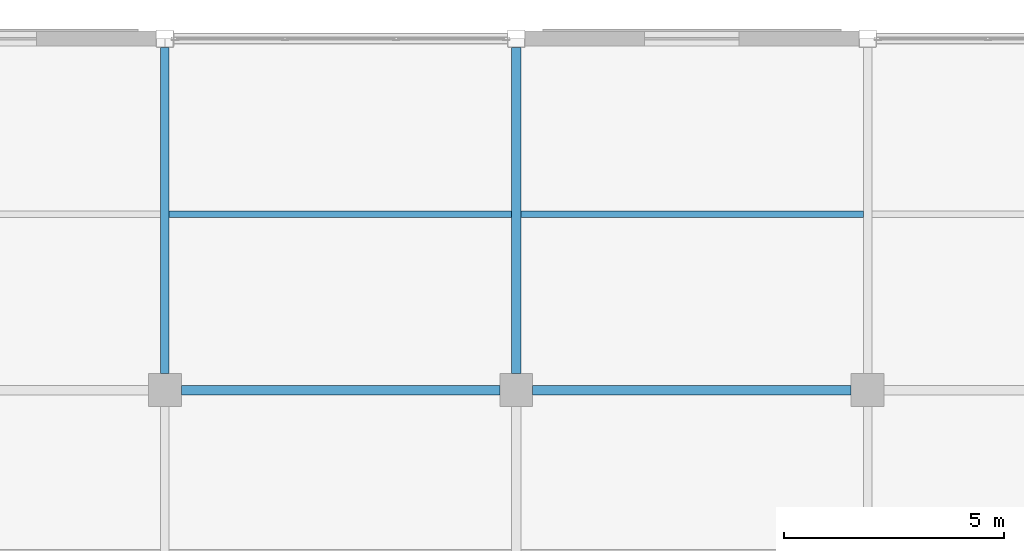
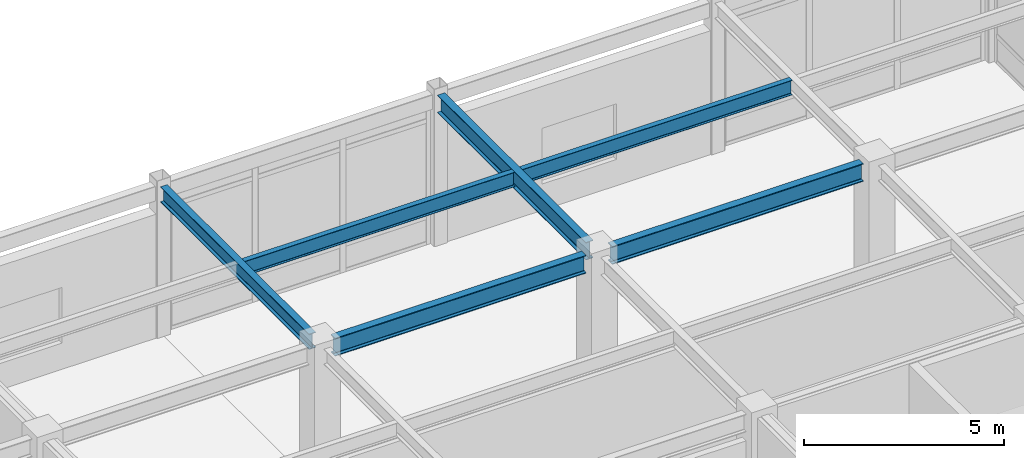
# One storey, part 78 of 117: 6 beams.
"""IFC4 building model written with IfcOpenShell, lengths in metres."""

from ifc_helpers import new_model, si_unit, direction, frame, origin, origin_2d, place, context, subcontext, project, spatial, i_section, extrude, material, material_profile, profile_set, type_object, element, save


model = new_model("IFC4")

# Units and contexts
model_context = context("Model", 3, precision=1e-05, world=origin(), true_north=direction((0.0, 1.0)))
body_context = subcontext(model_context, "Body", "Model", "MODEL_VIEW")
ifc_project = project(units=[si_unit("LENGTHUNIT", "METRE"), si_unit("AREAUNIT", "SQUARE_METRE"), si_unit("VOLUMEUNIT", "CUBIC_METRE"), si_unit("PLANEANGLEUNIT", "RADIAN"), si_unit("MASSUNIT", "GRAM", prefix="KILO")], contexts=[model_context])

# Site, building, storey
site_placement = place(None, origin())
site = spatial("IfcSite", under=ifc_project, at=site_placement, CompositionType="ELEMENT")
building_placement = place(site_placement, origin())
building = spatial("IfcBuilding", under=site, at=building_placement, Name="Solmirada Galleria", CompositionType="ELEMENT")
storey_placement = place(building_placement, frame((0.0, 0.0, 5.60009765625)))
storey = spatial("IfcBuildingStorey", under=building, at=storey_placement, Name="L01", CompositionType="ELEMENT", Elevation=5.60009765625)

# Beams
ifc_material = material(Name="Steel S355 / ASTM A992 Grade 50", Category="steel")
ifc_material_profile_1 = material_profile(ifc_material, i_section(OverallWidth=0.194091796875, OverallDepth=0.468994140625, WebThickness=0.0126953125, FlangeThickness=0.0205078125, FilletRadius=0.013916015625, at=origin_2d()), Name="W18X71")
ifc_profile_set_1 = profile_set([ifc_material_profile_1], Name="Steel S355 / ASTM A992 Grade 50")
beam_type_1 = type_object("IfcBeamType", Name="BM-GIRD-W18B", PredefinedType="BEAM", material=ifc_profile_set_1)
beam_1_placement = place(storey_placement, frame((152.0, 112.375, 4.365478515625), z_axis=(0.0, 1.0, 0.0), x_axis=(-1.0, 0.0, 0.0)))
element("IfcBeam", 1, at=beam_1_placement, inside=storey, type_object=beam_type_1, Name="Primary girder L02 Y(152, 112..120)", PredefinedType="BEAM", context=body_context, shape_type="SweptSolid", body=[
    extrude(i_section(OverallWidth=0.194091796875, OverallDepth=0.468994140625, WebThickness=0.0126953125, FlangeThickness=0.0205078125, FilletRadius=0.013916015625, at=origin_2d()), origin(), (0.0, 0.0, 1.0), 7.422119140625),
])
ifc_material_profile_2 = material_profile(ifc_material, i_section(OverallWidth=0.214111328125, OverallDepth=0.549072265625, WebThickness=0.0146484375, FlangeThickness=0.023681640625, FilletRadius=0.014892578125, at=origin_2d()), Name="W21X93")
ifc_profile_set_2 = profile_set([ifc_material_profile_2], Name="Steel S355 / ASTM A992 Grade 50")
beam_type_2 = type_object("IfcBeamType", Name="BM-GIRD-W21A", PredefinedType="BEAM", material=ifc_profile_set_2)
for number, where, z_axis, x_axis, name in (
    (2, (152.375, 112.0, 4.325439453125), (1.0, 0.0, 0.0), (0.0, 1.0, 0.0), "Primary beam L02 X(152..160, 112)"),
    (3, (160.375, 112.0, 4.325439453125), (1.0, 0.0, 0.0), (0.0, 1.0, 0.0), "Primary beam L02 X(160..168, 112)"),
):
    element("IfcBeam", number, at=place(storey_placement, frame(where, z_axis=z_axis, x_axis=x_axis)), inside=storey, type_object=beam_type_2, Name=name, PredefinedType="BEAM", context=body_context, shape_type="SweptSolid", body=[
        extrude(i_section(OverallWidth=0.214111328125, OverallDepth=0.549072265625, WebThickness=0.0146484375, FlangeThickness=0.023681640625, FilletRadius=0.014892578125, at=origin_2d()), origin(), (0.0, 0.0, 1.0), 7.25),
    ])
ifc_material_profile_3 = material_profile(ifc_material, i_section(OverallWidth=0.2099609375, OverallDepth=0.537109375, WebThickness=0.010986328125, FlangeThickness=0.017333984375, FilletRadius=0.014892578125, at=origin_2d()), Name="W21X68")
ifc_profile_set_3 = profile_set([ifc_material_profile_3], Name="Steel S355 / ASTM A992 Grade 50")
beam_type_3 = type_object("IfcBeamType", Name="BM-GIRD-W21B", PredefinedType="BEAM", material=ifc_profile_set_3)
beam_2_placement = place(storey_placement, frame((160.0, 112.375, 4.331298828125), z_axis=(0.0, 1.0, 0.0), x_axis=(-1.0, 0.0, 0.0)))
element("IfcBeam", 4, at=beam_2_placement, inside=storey, type_object=beam_type_3, Name="Primary girder L02 Y(160, 112..120)", PredefinedType="BEAM", context=body_context, shape_type="SweptSolid", body=[
    extrude(i_section(OverallWidth=0.2099609375, OverallDepth=0.537109375, WebThickness=0.010986328125, FlangeThickness=0.017333984375, FilletRadius=0.014892578125, at=origin_2d()), origin(), (0.0, 0.0, 1.0), 7.422119140625),
])
ifc_material_profile_4 = material_profile(ifc_material, i_section(OverallWidth=0.152099609375, OverallDepth=0.449951171875, WebThickness=0.007568359375, FlangeThickness=0.0107421875, FilletRadius=0.011962890625, at=origin_2d()), Name="W18X35")
ifc_profile_set_4 = profile_set([ifc_material_profile_4], Name="Steel S355 / ASTM A992 Grade 50")
beam_type_4 = type_object("IfcBeamType", Name="BM-JST-W18B", PredefinedType="JOIST", material=ifc_profile_set_4)
for number, where, z_axis, x_axis, name in (
    (5, (152.096923828125, 116.0, 4.375), (1.0, 0.0, 0.0), (0.0, 1.0, 0.0), "Composite floor joist L02 (152..160, 116.0)"),
    (6, (160.10498046875, 116.0, 4.375), (1.0, 0.0, 0.0), (0.0, 1.0, 0.0), "Composite floor joist L02 (160..168, 116.0)"),
):
    element("IfcBeam", number, at=place(storey_placement, frame(where, z_axis=z_axis, x_axis=x_axis)), inside=storey, type_object=beam_type_4, Name=name, PredefinedType="JOIST", context=body_context, shape_type="SweptSolid", body=[
        extrude(i_section(OverallWidth=0.152099609375, OverallDepth=0.449951171875, WebThickness=0.007568359375, FlangeThickness=0.0107421875, FilletRadius=0.011962890625, at=origin_2d()), origin(), (0.0, 0.0, 1.0), 7.798095703125),
    ])

save(model, "model.ifc")
